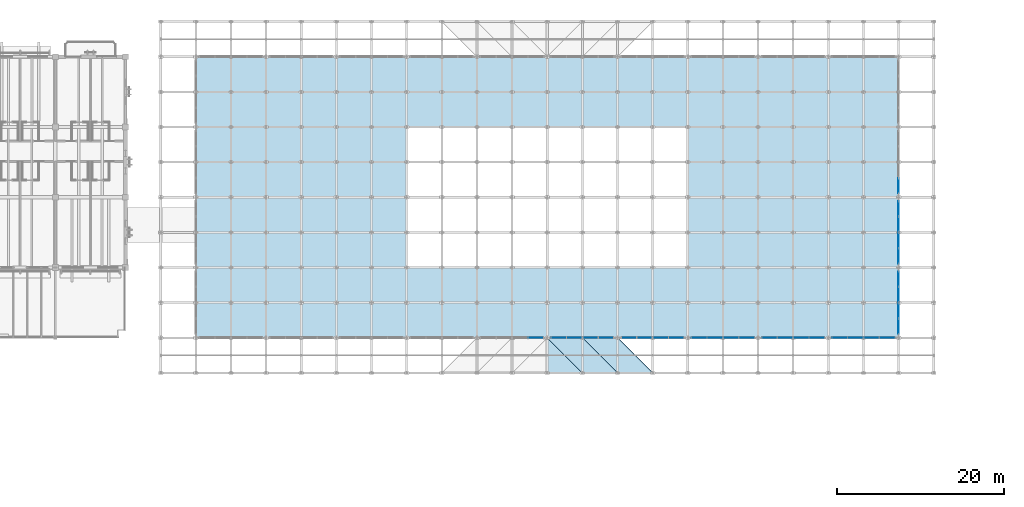
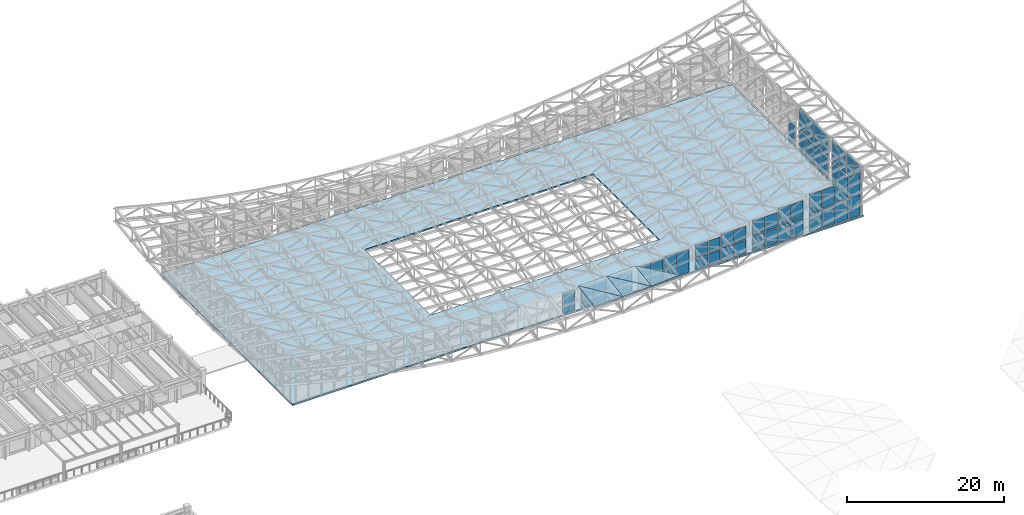
# One storey, part 68 of 111: 50 plates, 6 slabs, 16 elements without a shape of their own.
"""IFC4 building model written with IfcOpenShell, lengths in metres."""

from ifc_helpers import new_model, si_unit, direction, frame, origin, origin_2d, place, context, subcontext, project, spatial, polyline, rectangle, outline, extrude, material, layer, layer_set, type_object, element, aggregate, save


model = new_model("IFC4")

# Units and contexts
model_context = context("Model", 3, precision=1e-05, world=origin(), true_north=direction((0.0, 1.0)))
body_context = subcontext(model_context, "Body", "Model", "MODEL_VIEW")
ifc_project = project(units=[si_unit("LENGTHUNIT", "METRE"), si_unit("AREAUNIT", "SQUARE_METRE"), si_unit("VOLUMEUNIT", "CUBIC_METRE"), si_unit("PLANEANGLEUNIT", "RADIAN"), si_unit("MASSUNIT", "GRAM", prefix="KILO")], contexts=[model_context])

# Site, building, storey
site_placement = place(None, origin())
site = spatial("IfcSite", under=ifc_project, at=site_placement, CompositionType="ELEMENT")
building_placement = place(site_placement, origin())
building = spatial("IfcBuilding", under=site, at=building_placement, Name="Cumbredor Promenade Congress Hotel", CompositionType="ELEMENT")
storey_placement = place(building_placement, frame((0.0, 0.0, 15.1201171875)))
storey = spatial("IfcBuildingStorey", under=building, at=storey_placement, Name="L04", CompositionType="ELEMENT", Elevation=15.1201171875)

# Slabs
ifc_material_1 = material(Name="Concrete C40/50", Category="concrete")
ifc_layer_1 = layer(ifc_material_1, 0.25, Name="Concrete C40/50", Category="concrete")
ifc_layer_set_1 = layer_set([ifc_layer_1], Name="Concrete C40/50")
slab_type_1 = type_object("IfcSlabType", Name="Catenary Space Frame Roof Deck 250mm", PredefinedType="ROOF", material=ifc_layer_set_1)
slab_1_placement = place(storey_placement, frame((134.39990234375, 79.800048828125, 3.079833984375), z_axis=(-0.012448325796, -0.160747633386, 0.98691703681), x_axis=(0.999920461245, 0.0, 0.012612342484)))
element("IfcSlab", 1, at=slab_1_placement, inside=storey, type_object=slab_type_1, Name="Pre-Function and Breakout Meeting Forum Sweeping Roof Deck Facet 12.1.1", PredefinedType="ROOF", context=body_context, shape_type="SweptSolid", body=[
    extrude(outline(polyline([(0.0, 0.0), (4.200529417378815, 1.734723475976807e-18), (0.008627876865096478, 4.255288901044688), (0.0, 0.0)])), origin(), (0.0, 0.0, -1.0), 0.25),
])
slab_2_placement = place(storey_placement, frame((138.60009765625, 79.800048828125, 3.1328125), z_axis=(-0.009928519564, -0.15829161102, 0.987342488896), x_axis=(0.0, 0.987391156385, 0.158299413434)))
element("IfcSlab", 2, at=slab_2_placement, inside=storey, type_object=slab_type_1, Name="Pre-Function and Breakout Meeting Forum Sweeping Roof Deck Facet 12.1.2", PredefinedType="ROOF", context=body_context, shape_type="SweptSolid", body=[
    extrude(outline(polyline([(0.0, 0.0), (4.253583946663738, 0.0), (4.246897960695936, 4.2004023459845), (0.0, 0.0)])), origin(), (0.0, 0.0, -1.0), 0.25),
])
slab_3_placement = place(storey_placement, frame((138.60009765625, 79.800048828125, 3.1328125), z_axis=(-0.037281756976, -0.158189362676, 0.986704715775), x_axis=(0.999286944012, 0.0, 0.037757165239)))
element("IfcSlab", 3, at=slab_3_placement, inside=storey, type_object=slab_type_1, Name="Pre-Function and Breakout Meeting Forum Sweeping Roof Deck Facet 13.1.1", PredefinedType="ROOF", context=body_context, shape_type="SweptSolid", body=[
    extrude(outline(polyline([(0.0, 0.0), (4.2029481091909515, 0.0), (0.025423403742524806, 4.25350796894253), (0.0, 0.0)])), origin(), (0.0, 0.0, -1.0), 0.25),
])
slab_4_placement = place(storey_placement, frame((142.800048828125, 79.800048828125, 3.29150390625), z_axis=(-0.029753049423, -0.150833026609, 0.988111407754), x_axis=(0.0, 0.988549058169, 0.15089983298)))
element("IfcSlab", 4, at=slab_4_placement, inside=storey, type_object=slab_type_1, Name="Pre-Function and Breakout Meeting Forum Sweeping Roof Deck Facet 13.1.2", PredefinedType="ROOF", context=body_context, shape_type="SweptSolid", body=[
    extrude(outline(polyline([(0.0, 0.0), (4.24860166237426, 0.0), (4.229518138574568, 4.2018113977138825), (0.0, 0.0)])), origin(), (0.0, 0.0, -1.0), 0.25),
])
slab_5_placement = place(storey_placement, frame((142.800048828125, 79.800048828125, 3.29150390625), z_axis=(-0.062113086697, -0.15060846322, 0.986640286663), x_axis=(0.998024259177, 0.0, 0.06282975485)))
element("IfcSlab", 5, at=slab_5_placement, inside=storey, type_object=slab_type_1, Name="Pre-Function and Breakout Meeting Forum Sweeping Roof Deck Facet 14.1.1", PredefinedType="ROOF", context=body_context, shape_type="SweptSolid", body=[
    extrude(outline(polyline([(0.0, 0.0), (4.208265614043409, 0.0), (0.04028099029216406, 4.248410706058256), (0.0, 0.0)])), origin(), (0.0, 0.0, -1.0), 0.25),
])

# Curtain wall, plate
ifc_material_2 = material(Name="Thermally broken anodized aluminium and low-E glass", Category="aluminium")
curtain_wall_type = type_object("IfcCurtainWallType", Name="Stepped Pavilion Clerestory Curtain Wall CW-06", PredefinedType="NOTDEFINED", material=ifc_material_2)
curtain_wall_1_placement = place(storey_placement, origin())
curtain_wall_1 = element("IfcCurtainWall", 6, at=curtain_wall_1_placement, inside=storey, type_object=curtain_wall_type, Name="Pre-Function and Breakout Meeting Forum S Glazed Clerestory 10", PredefinedType="NOTDEFINED")
ifc_material_3 = material(Name="Laminated low-E solar-control glass", Category="glass")
ifc_layer_2 = layer(ifc_material_3, 0.031982421875, Name="Laminated low-E solar-control glass", Category="glass")
ifc_layer_set_2 = layer_set([ifc_layer_2], Name="Laminated low-E solar-control glass")
plate_type = type_object("IfcPlateType", Name="Clerestory Glazed Vision Panel PNL-07", PredefinedType="CURTAIN_PANEL", material=ifc_layer_set_2)
plate_1_placement = place(storey_placement, frame((133.030029296875, 84.0, 0.169921875), z_axis=(0.0, 0.0, 1.0), x_axis=(1.0, 0.0, 0.0)))
plate_1 = element("IfcPlate", 7, at=plate_1_placement, type_object=plate_type, Name="Pre-Function and Breakout Meeting Forum S Glazed Clerestory 10 Glazing Panel 2.1", PredefinedType="CURTAIN_PANEL", context=body_context, shape_type="SweptSolid", body=[
    extrude(rectangle(XDim=1.77490234375, YDim=0.031982421875, at=origin_2d()), origin(), (0.0, 0.0, 1.0), 3.169921875),
])
aggregate(curtain_wall_1, [plate_1])

# Curtain wall, plates
curtain_wall_2_placement = place(storey_placement, origin())
curtain_wall_2 = element("IfcCurtainWall", 8, at=curtain_wall_2_placement, inside=storey, type_object=curtain_wall_type, Name="Pre-Function and Breakout Meeting Forum S Glazed Clerestory 11", PredefinedType="NOTDEFINED")
plate_2_placement = place(storey_placement, frame((135.77001953125, 84.0, 0.169921875), z_axis=(0.0, 0.0, 1.0), x_axis=(1.0, 0.0, 0.0)))
plate_2 = element("IfcPlate", 9, at=plate_2_placement, type_object=plate_type, Name="Pre-Function and Breakout Meeting Forum S Glazed Clerestory 11 Glazing Panel 1.1", PredefinedType="CURTAIN_PANEL", context=body_context, shape_type="SweptSolid", body=[
    extrude(rectangle(XDim=1.77490234375, YDim=0.031982421875, at=origin_2d()), origin(), (0.0, 0.0, 1.0), 3.169921875),
])
plate_3_placement = place(storey_placement, frame((137.6298828125, 84.0, 0.169921875), z_axis=(0.0, 0.0, 1.0), x_axis=(1.0, 0.0, 0.0)))
plate_3 = element("IfcPlate", 10, at=plate_3_placement, type_object=plate_type, Name="Pre-Function and Breakout Meeting Forum S Glazed Clerestory 11 Glazing Panel 2.1", PredefinedType="CURTAIN_PANEL", context=body_context, shape_type="SweptSolid", body=[
    extrude(rectangle(XDim=1.77490234375, YDim=0.031982421875, at=origin_2d()), origin(), (0.0, 0.0, 1.0), 3.169921875),
])
aggregate(curtain_wall_2, [plate_2, plate_3])

curtain_wall_3_placement = place(storey_placement, origin())
curtain_wall_3 = element("IfcCurtainWall", 11, at=curtain_wall_3_placement, inside=storey, type_object=curtain_wall_type, Name="Pre-Function and Breakout Meeting Forum S Glazed Clerestory 12", PredefinedType="NOTDEFINED")
plate_4_placement = place(storey_placement, frame((139.570068359375, 84.0, 0.169921875), z_axis=(0.0, 0.0, 1.0), x_axis=(1.0, 0.0, 0.0)))
plate_4 = element("IfcPlate", 12, at=plate_4_placement, type_object=plate_type, Name="Pre-Function and Breakout Meeting Forum S Glazed Clerestory 12 Glazing Panel 1.1", PredefinedType="CURTAIN_PANEL", context=body_context, shape_type="SweptSolid", body=[
    extrude(rectangle(XDim=1.77490234375, YDim=0.031982421875, at=origin_2d()), origin(), (0.0, 0.0, 1.0), 3.2099609375),
])
plate_5_placement = place(storey_placement, frame((141.429931640625, 84.0, 0.169921875), z_axis=(0.0, 0.0, 1.0), x_axis=(1.0, 0.0, 0.0)))
plate_5 = element("IfcPlate", 13, at=plate_5_placement, type_object=plate_type, Name="Pre-Function and Breakout Meeting Forum S Glazed Clerestory 12 Glazing Panel 2.1", PredefinedType="CURTAIN_PANEL", context=body_context, shape_type="SweptSolid", body=[
    extrude(rectangle(XDim=1.77490234375, YDim=0.031982421875, at=origin_2d()), origin(), (0.0, 0.0, 1.0), 3.2099609375),
])
aggregate(curtain_wall_3, [plate_4, plate_5])

curtain_wall_4_placement = place(storey_placement, origin())
curtain_wall_4 = element("IfcCurtainWall", 14, at=curtain_wall_4_placement, inside=storey, type_object=curtain_wall_type, Name="Pre-Function and Breakout Meeting Forum S Glazed Clerestory 13", PredefinedType="NOTDEFINED")
plate_6_placement = place(storey_placement, frame((144.169921875, 84.0, 0.169921875), z_axis=(0.0, 0.0, 1.0), x_axis=(1.0, 0.0, 0.0)))
plate_6 = element("IfcPlate", 15, at=plate_6_placement, type_object=plate_type, Name="Pre-Function and Breakout Meeting Forum S Glazed Clerestory 13 Glazing Panel 1.1", PredefinedType="CURTAIN_PANEL", context=body_context, shape_type="SweptSolid", body=[
    extrude(rectangle(XDim=1.77490234375, YDim=0.031982421875, at=origin_2d()), origin(), (0.0, 0.0, 1.0), 3.340087890625),
])
plate_7_placement = place(storey_placement, frame((146.030029296875, 84.0, 0.169921875), z_axis=(0.0, 0.0, 1.0), x_axis=(1.0, 0.0, 0.0)))
plate_7 = element("IfcPlate", 16, at=plate_7_placement, type_object=plate_type, Name="Pre-Function and Breakout Meeting Forum S Glazed Clerestory 13 Glazing Panel 2.1", PredefinedType="CURTAIN_PANEL", context=body_context, shape_type="SweptSolid", body=[
    extrude(rectangle(XDim=1.77490234375, YDim=0.031982421875, at=origin_2d()), origin(), (0.0, 0.0, 1.0), 3.340087890625),
])
aggregate(curtain_wall_4, [plate_6, plate_7])

curtain_wall_5_placement = place(storey_placement, origin())
curtain_wall_5 = element("IfcCurtainWall", 17, at=curtain_wall_5_placement, inside=storey, type_object=curtain_wall_type, Name="Pre-Function and Breakout Meeting Forum S Glazed Clerestory 14", PredefinedType="NOTDEFINED")
plate_8_placement = place(storey_placement, frame((147.969970703125, 84.0, 0.169921875), z_axis=(0.0, 0.0, 1.0), x_axis=(1.0, 0.0, 0.0)))
plate_8 = element("IfcPlate", 18, at=plate_8_placement, type_object=plate_type, Name="Pre-Function and Breakout Meeting Forum S Glazed Clerestory 14 Glazing Panel 1.1", PredefinedType="CURTAIN_PANEL", context=body_context, shape_type="SweptSolid", body=[
    extrude(rectangle(XDim=1.77490234375, YDim=0.031982421875, at=origin_2d()), origin(), (0.0, 0.0, 1.0), 3.550048828125),
])
plate_9_placement = place(storey_placement, frame((149.830078125, 84.0, 0.169921875), z_axis=(0.0, 0.0, 1.0), x_axis=(1.0, 0.0, 0.0)))
plate_9 = element("IfcPlate", 19, at=plate_9_placement, type_object=plate_type, Name="Pre-Function and Breakout Meeting Forum S Glazed Clerestory 14 Glazing Panel 2.1", PredefinedType="CURTAIN_PANEL", context=body_context, shape_type="SweptSolid", body=[
    extrude(rectangle(XDim=1.77490234375, YDim=0.031982421875, at=origin_2d()), origin(), (0.0, 0.0, 1.0), 3.550048828125),
])
aggregate(curtain_wall_5, [plate_8, plate_9])

curtain_wall_6_placement = place(storey_placement, origin())
curtain_wall_6 = element("IfcCurtainWall", 20, at=curtain_wall_6_placement, inside=storey, type_object=curtain_wall_type, Name="Pre-Function and Breakout Meeting Forum S Glazed Clerestory 15", PredefinedType="NOTDEFINED")
plate_10_placement = place(storey_placement, frame((152.570068359375, 84.0, 0.169921875), z_axis=(0.0, 0.0, 1.0), x_axis=(1.0, 0.0, 0.0)))
plate_10 = element("IfcPlate", 21, at=plate_10_placement, type_object=plate_type, Name="Pre-Function and Breakout Meeting Forum S Glazed Clerestory 15 Glazing Panel 1.1", PredefinedType="CURTAIN_PANEL", context=body_context, shape_type="SweptSolid", body=[
    extrude(rectangle(XDim=1.77490234375, YDim=0.031982421875, at=origin_2d()), origin(), (0.0, 0.0, 1.0), 1.830078125),
])
plate_11_placement = place(storey_placement, frame((152.570068359375, 84.0, 2.1796875), z_axis=(0.0, 0.0, 1.0), x_axis=(1.0, 0.0, 0.0)))
plate_11 = element("IfcPlate", 22, at=plate_11_placement, type_object=plate_type, Name="Pre-Function and Breakout Meeting Forum S Glazed Clerestory 15 Glazing Panel 1.2", PredefinedType="CURTAIN_PANEL", context=body_context, shape_type="SweptSolid", body=[
    extrude(rectangle(XDim=1.77490234375, YDim=0.031982421875, at=origin_2d()), origin(), (0.0, 0.0, 1.0), 1.840087890625),
])
plate_12_placement = place(storey_placement, frame((154.429931640625, 84.0, 0.169921875), z_axis=(0.0, 0.0, 1.0), x_axis=(1.0, 0.0, 0.0)))
plate_12 = element("IfcPlate", 23, at=plate_12_placement, type_object=plate_type, Name="Pre-Function and Breakout Meeting Forum S Glazed Clerestory 15 Glazing Panel 2.1", PredefinedType="CURTAIN_PANEL", context=body_context, shape_type="SweptSolid", body=[
    extrude(rectangle(XDim=1.77490234375, YDim=0.031982421875, at=origin_2d()), origin(), (0.0, 0.0, 1.0), 1.830078125),
])
plate_13_placement = place(storey_placement, frame((154.429931640625, 84.0, 2.1796875), z_axis=(0.0, 0.0, 1.0), x_axis=(1.0, 0.0, 0.0)))
plate_13 = element("IfcPlate", 24, at=plate_13_placement, type_object=plate_type, Name="Pre-Function and Breakout Meeting Forum S Glazed Clerestory 15 Glazing Panel 2.2", PredefinedType="CURTAIN_PANEL", context=body_context, shape_type="SweptSolid", body=[
    extrude(rectangle(XDim=1.77490234375, YDim=0.031982421875, at=origin_2d()), origin(), (0.0, 0.0, 1.0), 1.840087890625),
])
aggregate(curtain_wall_6, [plate_10, plate_11, plate_12, plate_13])

curtain_wall_7_placement = place(storey_placement, origin())
curtain_wall_7 = element("IfcCurtainWall", 25, at=curtain_wall_7_placement, inside=storey, type_object=curtain_wall_type, Name="Pre-Function and Breakout Meeting Forum S Glazed Clerestory 16", PredefinedType="NOTDEFINED")
plate_14_placement = place(storey_placement, frame((156.3701171875, 84.0, 0.169921875), z_axis=(0.0, 0.0, 1.0), x_axis=(1.0, 0.0, 0.0)))
plate_14 = element("IfcPlate", 26, at=plate_14_placement, type_object=plate_type, Name="Pre-Function and Breakout Meeting Forum S Glazed Clerestory 16 Glazing Panel 1.1", PredefinedType="CURTAIN_PANEL", context=body_context, shape_type="SweptSolid", body=[
    extrude(rectangle(XDim=1.77490234375, YDim=0.031982421875, at=origin_2d()), origin(), (0.0, 0.0, 1.0), 2.02001953125),
])
plate_15_placement = place(storey_placement, frame((156.3701171875, 84.0, 2.369873046875), z_axis=(0.0, 0.0, 1.0), x_axis=(1.0, 0.0, 0.0)))
plate_15 = element("IfcPlate", 27, at=plate_15_placement, type_object=plate_type, Name="Pre-Function and Breakout Meeting Forum S Glazed Clerestory 16 Glazing Panel 1.2", PredefinedType="CURTAIN_PANEL", context=body_context, shape_type="SweptSolid", body=[
    extrude(rectangle(XDim=1.77490234375, YDim=0.031982421875, at=origin_2d()), origin(), (0.0, 0.0, 1.0), 2.02001953125),
])
plate_16_placement = place(storey_placement, frame((158.22998046875, 84.0, 0.169921875), z_axis=(0.0, 0.0, 1.0), x_axis=(1.0, 0.0, 0.0)))
plate_16 = element("IfcPlate", 28, at=plate_16_placement, type_object=plate_type, Name="Pre-Function and Breakout Meeting Forum S Glazed Clerestory 16 Glazing Panel 2.1", PredefinedType="CURTAIN_PANEL", context=body_context, shape_type="SweptSolid", body=[
    extrude(rectangle(XDim=1.77490234375, YDim=0.031982421875, at=origin_2d()), origin(), (0.0, 0.0, 1.0), 2.02001953125),
])
plate_17_placement = place(storey_placement, frame((158.22998046875, 84.0, 2.369873046875), z_axis=(0.0, 0.0, 1.0), x_axis=(1.0, 0.0, 0.0)))
plate_17 = element("IfcPlate", 29, at=plate_17_placement, type_object=plate_type, Name="Pre-Function and Breakout Meeting Forum S Glazed Clerestory 16 Glazing Panel 2.2", PredefinedType="CURTAIN_PANEL", context=body_context, shape_type="SweptSolid", body=[
    extrude(rectangle(XDim=1.77490234375, YDim=0.031982421875, at=origin_2d()), origin(), (0.0, 0.0, 1.0), 2.02001953125),
])
aggregate(curtain_wall_7, [plate_14, plate_15, plate_16, plate_17])

curtain_wall_8_placement = place(storey_placement, origin())
curtain_wall_8 = element("IfcCurtainWall", 30, at=curtain_wall_8_placement, inside=storey, type_object=curtain_wall_type, Name="Pre-Function and Breakout Meeting Forum S Glazed Clerestory 17", PredefinedType="NOTDEFINED")
plate_18_placement = place(storey_placement, frame((160.969970703125, 84.0, 0.169921875), z_axis=(0.0, 0.0, 1.0), x_axis=(1.0, 0.0, 0.0)))
plate_18 = element("IfcPlate", 31, at=plate_18_placement, type_object=plate_type, Name="Pre-Function and Breakout Meeting Forum S Glazed Clerestory 17 Glazing Panel 1.1", PredefinedType="CURTAIN_PANEL", context=body_context, shape_type="SweptSolid", body=[
    extrude(rectangle(XDim=1.77490234375, YDim=0.031982421875, at=origin_2d()), origin(), (0.0, 0.0, 1.0), 2.25),
])
plate_19_placement = place(storey_placement, frame((160.969970703125, 84.0, 2.60009765625), z_axis=(0.0, 0.0, 1.0), x_axis=(1.0, 0.0, 0.0)))
plate_19 = element("IfcPlate", 32, at=plate_19_placement, type_object=plate_type, Name="Pre-Function and Breakout Meeting Forum S Glazed Clerestory 17 Glazing Panel 1.2", PredefinedType="CURTAIN_PANEL", context=body_context, shape_type="SweptSolid", body=[
    extrude(rectangle(XDim=1.77490234375, YDim=0.031982421875, at=origin_2d()), origin(), (0.0, 0.0, 1.0), 2.260009765625),
])
plate_20_placement = place(storey_placement, frame((162.830078125, 84.0, 0.169921875), z_axis=(0.0, 0.0, 1.0), x_axis=(1.0, 0.0, 0.0)))
plate_20 = element("IfcPlate", 33, at=plate_20_placement, type_object=plate_type, Name="Pre-Function and Breakout Meeting Forum S Glazed Clerestory 17 Glazing Panel 2.1", PredefinedType="CURTAIN_PANEL", context=body_context, shape_type="SweptSolid", body=[
    extrude(rectangle(XDim=1.77490234375, YDim=0.031982421875, at=origin_2d()), origin(), (0.0, 0.0, 1.0), 2.25),
])
plate_21_placement = place(storey_placement, frame((162.830078125, 84.0, 2.60009765625), z_axis=(0.0, 0.0, 1.0), x_axis=(1.0, 0.0, 0.0)))
plate_21 = element("IfcPlate", 34, at=plate_21_placement, type_object=plate_type, Name="Pre-Function and Breakout Meeting Forum S Glazed Clerestory 17 Glazing Panel 2.2", PredefinedType="CURTAIN_PANEL", context=body_context, shape_type="SweptSolid", body=[
    extrude(rectangle(XDim=1.77490234375, YDim=0.031982421875, at=origin_2d()), origin(), (0.0, 0.0, 1.0), 2.260009765625),
])
aggregate(curtain_wall_8, [plate_18, plate_19, plate_20, plate_21])

curtain_wall_9_placement = place(storey_placement, origin())
curtain_wall_9 = element("IfcCurtainWall", 35, at=curtain_wall_9_placement, inside=storey, type_object=curtain_wall_type, Name="Pre-Function and Breakout Meeting Forum S Glazed Clerestory 18", PredefinedType="NOTDEFINED")
plate_22_placement = place(storey_placement, frame((164.77001953125, 84.0, 0.169921875), z_axis=(0.0, 0.0, 1.0), x_axis=(1.0, 0.0, 0.0)))
plate_22 = element("IfcPlate", 36, at=plate_22_placement, type_object=plate_type, Name="Pre-Function and Breakout Meeting Forum S Glazed Clerestory 18 Glazing Panel 1.1", PredefinedType="CURTAIN_PANEL", context=body_context, shape_type="SweptSolid", body=[
    extrude(rectangle(XDim=1.77490234375, YDim=0.031982421875, at=origin_2d()), origin(), (0.0, 0.0, 1.0), 2.530029296875),
])
plate_23_placement = place(storey_placement, frame((164.77001953125, 84.0, 2.8798828125), z_axis=(0.0, 0.0, 1.0), x_axis=(1.0, 0.0, 0.0)))
plate_23 = element("IfcPlate", 37, at=plate_23_placement, type_object=plate_type, Name="Pre-Function and Breakout Meeting Forum S Glazed Clerestory 18 Glazing Panel 1.2", PredefinedType="CURTAIN_PANEL", context=body_context, shape_type="SweptSolid", body=[
    extrude(rectangle(XDim=1.77490234375, YDim=0.031982421875, at=origin_2d()), origin(), (0.0, 0.0, 1.0), 2.530029296875),
])
plate_24_placement = place(storey_placement, frame((166.6298828125, 84.0, 0.169921875), z_axis=(0.0, 0.0, 1.0), x_axis=(1.0, 0.0, 0.0)))
plate_24 = element("IfcPlate", 38, at=plate_24_placement, type_object=plate_type, Name="Pre-Function and Breakout Meeting Forum S Glazed Clerestory 18 Glazing Panel 2.1", PredefinedType="CURTAIN_PANEL", context=body_context, shape_type="SweptSolid", body=[
    extrude(rectangle(XDim=1.77490234375, YDim=0.031982421875, at=origin_2d()), origin(), (0.0, 0.0, 1.0), 2.530029296875),
])
plate_25_placement = place(storey_placement, frame((166.6298828125, 84.0, 2.8798828125), z_axis=(0.0, 0.0, 1.0), x_axis=(1.0, 0.0, 0.0)))
plate_25 = element("IfcPlate", 39, at=plate_25_placement, type_object=plate_type, Name="Pre-Function and Breakout Meeting Forum S Glazed Clerestory 18 Glazing Panel 2.2", PredefinedType="CURTAIN_PANEL", context=body_context, shape_type="SweptSolid", body=[
    extrude(rectangle(XDim=1.77490234375, YDim=0.031982421875, at=origin_2d()), origin(), (0.0, 0.0, 1.0), 2.530029296875),
])
aggregate(curtain_wall_9, [plate_22, plate_23, plate_24, plate_25])

curtain_wall_10_placement = place(storey_placement, origin())
curtain_wall_10 = element("IfcCurtainWall", 40, at=curtain_wall_10_placement, inside=storey, type_object=curtain_wall_type, Name="Pre-Function and Breakout Meeting Forum S Glazed Clerestory 19", PredefinedType="NOTDEFINED")
plate_26_placement = place(storey_placement, frame((169.3701171875, 84.0, 0.169921875), z_axis=(0.0, 0.0, 1.0), x_axis=(1.0, 0.0, 0.0)))
plate_26 = element("IfcPlate", 41, at=plate_26_placement, type_object=plate_type, Name="Pre-Function and Breakout Meeting Forum S Glazed Clerestory 19 Glazing Panel 1.1", PredefinedType="CURTAIN_PANEL", context=body_context, shape_type="SweptSolid", body=[
    extrude(rectangle(XDim=1.77490234375, YDim=0.031982421875, at=origin_2d()), origin(), (0.0, 0.0, 1.0), 2.85009765625),
])
plate_27_placement = place(storey_placement, frame((169.3701171875, 84.0, 3.19970703125), z_axis=(0.0, 0.0, 1.0), x_axis=(1.0, 0.0, 0.0)))
plate_27 = element("IfcPlate", 42, at=plate_27_placement, type_object=plate_type, Name="Pre-Function and Breakout Meeting Forum S Glazed Clerestory 19 Glazing Panel 1.2", PredefinedType="CURTAIN_PANEL", context=body_context, shape_type="SweptSolid", body=[
    extrude(rectangle(XDim=1.77490234375, YDim=0.031982421875, at=origin_2d()), origin(), (0.0, 0.0, 1.0), 2.840087890625),
])
plate_28_placement = place(storey_placement, frame((171.22998046875, 84.0, 0.169921875), z_axis=(0.0, 0.0, 1.0), x_axis=(1.0, 0.0, 0.0)))
plate_28 = element("IfcPlate", 43, at=plate_28_placement, type_object=plate_type, Name="Pre-Function and Breakout Meeting Forum S Glazed Clerestory 19 Glazing Panel 2.1", PredefinedType="CURTAIN_PANEL", context=body_context, shape_type="SweptSolid", body=[
    extrude(rectangle(XDim=1.77490234375, YDim=0.031982421875, at=origin_2d()), origin(), (0.0, 0.0, 1.0), 2.85009765625),
])
plate_29_placement = place(storey_placement, frame((171.22998046875, 84.0, 3.19970703125), z_axis=(0.0, 0.0, 1.0), x_axis=(1.0, 0.0, 0.0)))
plate_29 = element("IfcPlate", 44, at=plate_29_placement, type_object=plate_type, Name="Pre-Function and Breakout Meeting Forum S Glazed Clerestory 19 Glazing Panel 2.2", PredefinedType="CURTAIN_PANEL", context=body_context, shape_type="SweptSolid", body=[
    extrude(rectangle(XDim=1.77490234375, YDim=0.031982421875, at=origin_2d()), origin(), (0.0, 0.0, 1.0), 2.840087890625),
])
aggregate(curtain_wall_10, [plate_26, plate_27, plate_28, plate_29])

curtain_wall_11_placement = place(storey_placement, origin())
curtain_wall_11 = element("IfcCurtainWall", 45, at=curtain_wall_11_placement, inside=storey, type_object=curtain_wall_type, Name="Pre-Function and Breakout Meeting Forum S Glazed Clerestory 20", PredefinedType="NOTDEFINED")
plate_30_placement = place(storey_placement, frame((173.169921875, 84.0, 0.169921875), z_axis=(0.0, 0.0, 1.0), x_axis=(1.0, 0.0, 0.0)))
plate_30 = element("IfcPlate", 46, at=plate_30_placement, type_object=plate_type, Name="Pre-Function and Breakout Meeting Forum S Glazed Clerestory 20 Glazing Panel 1.1", PredefinedType="CURTAIN_PANEL", context=body_context, shape_type="SweptSolid", body=[
    extrude(rectangle(XDim=1.77490234375, YDim=0.031982421875, at=origin_2d()), origin(), (0.0, 0.0, 1.0), 3.199951171875),
])
plate_31_placement = place(storey_placement, frame((173.169921875, 84.0, 3.5498046875), z_axis=(0.0, 0.0, 1.0), x_axis=(1.0, 0.0, 0.0)))
plate_31 = element("IfcPlate", 47, at=plate_31_placement, type_object=plate_type, Name="Pre-Function and Breakout Meeting Forum S Glazed Clerestory 20 Glazing Panel 1.2", PredefinedType="CURTAIN_PANEL", context=body_context, shape_type="SweptSolid", body=[
    extrude(rectangle(XDim=1.77490234375, YDim=0.031982421875, at=origin_2d()), origin(), (0.0, 0.0, 1.0), 3.199951171875),
])
plate_32_placement = place(storey_placement, frame((175.030029296875, 84.0, 0.169921875), z_axis=(0.0, 0.0, 1.0), x_axis=(1.0, 0.0, 0.0)))
plate_32 = element("IfcPlate", 48, at=plate_32_placement, type_object=plate_type, Name="Pre-Function and Breakout Meeting Forum S Glazed Clerestory 20 Glazing Panel 2.1", PredefinedType="CURTAIN_PANEL", context=body_context, shape_type="SweptSolid", body=[
    extrude(rectangle(XDim=1.77490234375, YDim=0.031982421875, at=origin_2d()), origin(), (0.0, 0.0, 1.0), 3.199951171875),
])
plate_33_placement = place(storey_placement, frame((175.030029296875, 84.0, 3.5498046875), z_axis=(0.0, 0.0, 1.0), x_axis=(1.0, 0.0, 0.0)))
plate_33 = element("IfcPlate", 49, at=plate_33_placement, type_object=plate_type, Name="Pre-Function and Breakout Meeting Forum S Glazed Clerestory 20 Glazing Panel 2.2", PredefinedType="CURTAIN_PANEL", context=body_context, shape_type="SweptSolid", body=[
    extrude(rectangle(XDim=1.77490234375, YDim=0.031982421875, at=origin_2d()), origin(), (0.0, 0.0, 1.0), 3.199951171875),
])
aggregate(curtain_wall_11, [plate_30, plate_31, plate_32, plate_33])

curtain_wall_12_placement = place(storey_placement, origin())
curtain_wall_12 = element("IfcCurtainWall", 50, at=curtain_wall_12_placement, inside=storey, type_object=curtain_wall_type, Name="Pre-Function and Breakout Meeting Forum E Glazed Clerestory 1", PredefinedType="NOTDEFINED")
plate_34_placement = place(storey_placement, frame((176.39990234375, 85.3701171875, 0.169921875), z_axis=(0.0, 0.0, 1.0), x_axis=(0.0, 1.0, 0.0)))
plate_34 = element("IfcPlate", 51, at=plate_34_placement, type_object=plate_type, Name="Pre-Function and Breakout Meeting Forum E Glazed Clerestory 1 Glazing Panel 1.1", PredefinedType="CURTAIN_PANEL", context=body_context, shape_type="SweptSolid", body=[
    extrude(rectangle(XDim=1.77490234375, YDim=0.031982421875, at=origin_2d()), origin(), (0.0, 0.0, 1.0), 3.449951171875),
])
plate_35_placement = place(storey_placement, frame((176.39990234375, 85.3701171875, 3.7998046875), z_axis=(0.0, 0.0, 1.0), x_axis=(0.0, 1.0, 0.0)))
plate_35 = element("IfcPlate", 52, at=plate_35_placement, type_object=plate_type, Name="Pre-Function and Breakout Meeting Forum E Glazed Clerestory 1 Glazing Panel 1.2", PredefinedType="CURTAIN_PANEL", context=body_context, shape_type="SweptSolid", body=[
    extrude(rectangle(XDim=1.77490234375, YDim=0.031982421875, at=origin_2d()), origin(), (0.0, 0.0, 1.0), 3.449951171875),
])
plate_36_placement = place(storey_placement, frame((176.39990234375, 87.22998046875, 0.169921875), z_axis=(0.0, 0.0, 1.0), x_axis=(0.0, 1.0, 0.0)))
plate_36 = element("IfcPlate", 53, at=plate_36_placement, type_object=plate_type, Name="Pre-Function and Breakout Meeting Forum E Glazed Clerestory 1 Glazing Panel 2.1", PredefinedType="CURTAIN_PANEL", context=body_context, shape_type="SweptSolid", body=[
    extrude(rectangle(XDim=1.77490234375, YDim=0.031982421875, at=origin_2d()), origin(), (0.0, 0.0, 1.0), 3.449951171875),
])
plate_37_placement = place(storey_placement, frame((176.39990234375, 87.22998046875, 3.7998046875), z_axis=(0.0, 0.0, 1.0), x_axis=(0.0, 1.0, 0.0)))
plate_37 = element("IfcPlate", 54, at=plate_37_placement, type_object=plate_type, Name="Pre-Function and Breakout Meeting Forum E Glazed Clerestory 1 Glazing Panel 2.2", PredefinedType="CURTAIN_PANEL", context=body_context, shape_type="SweptSolid", body=[
    extrude(rectangle(XDim=1.77490234375, YDim=0.031982421875, at=origin_2d()), origin(), (0.0, 0.0, 1.0), 3.449951171875),
])
aggregate(curtain_wall_12, [plate_34, plate_35, plate_36, plate_37])

curtain_wall_13_placement = place(storey_placement, origin())
curtain_wall_13 = element("IfcCurtainWall", 55, at=curtain_wall_13_placement, inside=storey, type_object=curtain_wall_type, Name="Pre-Function and Breakout Meeting Forum E Glazed Clerestory 2", PredefinedType="NOTDEFINED")
plate_38_placement = place(storey_placement, frame((176.39990234375, 89.169921875, 0.169921875), z_axis=(0.0, 0.0, 1.0), x_axis=(0.0, 1.0, 0.0)))
plate_38 = element("IfcPlate", 56, at=plate_38_placement, type_object=plate_type, Name="Pre-Function and Breakout Meeting Forum E Glazed Clerestory 2 Glazing Panel 1.1", PredefinedType="CURTAIN_PANEL", context=body_context, shape_type="SweptSolid", body=[
    extrude(rectangle(XDim=1.77490234375, YDim=0.031982421875, at=origin_2d()), origin(), (0.0, 0.0, 1.0), 3.35009765625),
])
plate_39_placement = place(storey_placement, frame((176.39990234375, 89.169921875, 3.69970703125), z_axis=(0.0, 0.0, 1.0), x_axis=(0.0, 1.0, 0.0)))
plate_39 = element("IfcPlate", 57, at=plate_39_placement, type_object=plate_type, Name="Pre-Function and Breakout Meeting Forum E Glazed Clerestory 2 Glazing Panel 1.2", PredefinedType="CURTAIN_PANEL", context=body_context, shape_type="SweptSolid", body=[
    extrude(rectangle(XDim=1.77490234375, YDim=0.031982421875, at=origin_2d()), origin(), (0.0, 0.0, 1.0), 3.340087890625),
])
plate_40_placement = place(storey_placement, frame((176.39990234375, 91.030029296875, 0.169921875), z_axis=(0.0, 0.0, 1.0), x_axis=(0.0, 1.0, 0.0)))
plate_40 = element("IfcPlate", 58, at=plate_40_placement, type_object=plate_type, Name="Pre-Function and Breakout Meeting Forum E Glazed Clerestory 2 Glazing Panel 2.1", PredefinedType="CURTAIN_PANEL", context=body_context, shape_type="SweptSolid", body=[
    extrude(rectangle(XDim=1.77490234375, YDim=0.031982421875, at=origin_2d()), origin(), (0.0, 0.0, 1.0), 3.35009765625),
])
plate_41_placement = place(storey_placement, frame((176.39990234375, 91.030029296875, 3.69970703125), z_axis=(0.0, 0.0, 1.0), x_axis=(0.0, 1.0, 0.0)))
plate_41 = element("IfcPlate", 59, at=plate_41_placement, type_object=plate_type, Name="Pre-Function and Breakout Meeting Forum E Glazed Clerestory 2 Glazing Panel 2.2", PredefinedType="CURTAIN_PANEL", context=body_context, shape_type="SweptSolid", body=[
    extrude(rectangle(XDim=1.77490234375, YDim=0.031982421875, at=origin_2d()), origin(), (0.0, 0.0, 1.0), 3.340087890625),
])
aggregate(curtain_wall_13, [plate_38, plate_39, plate_40, plate_41])

curtain_wall_14_placement = place(storey_placement, origin())
curtain_wall_14 = element("IfcCurtainWall", 60, at=curtain_wall_14_placement, inside=storey, type_object=curtain_wall_type, Name="Pre-Function and Breakout Meeting Forum E Glazed Clerestory 3", PredefinedType="NOTDEFINED")
plate_42_placement = place(storey_placement, frame((176.39990234375, 93.77001953125, 0.169921875), z_axis=(0.0, 0.0, 1.0), x_axis=(0.0, 1.0, 0.0)))
plate_42 = element("IfcPlate", 61, at=plate_42_placement, type_object=plate_type, Name="Pre-Function and Breakout Meeting Forum E Glazed Clerestory 3 Glazing Panel 1.1", PredefinedType="CURTAIN_PANEL", context=body_context, shape_type="SweptSolid", body=[
    extrude(rectangle(XDim=1.77490234375, YDim=0.031982421875, at=origin_2d()), origin(), (0.0, 0.0, 1.0), 3.280029296875),
])
plate_43_placement = place(storey_placement, frame((176.39990234375, 93.77001953125, 3.6298828125), z_axis=(0.0, 0.0, 1.0), x_axis=(0.0, 1.0, 0.0)))
plate_43 = element("IfcPlate", 62, at=plate_43_placement, type_object=plate_type, Name="Pre-Function and Breakout Meeting Forum E Glazed Clerestory 3 Glazing Panel 1.2", PredefinedType="CURTAIN_PANEL", context=body_context, shape_type="SweptSolid", body=[
    extrude(rectangle(XDim=1.77490234375, YDim=0.031982421875, at=origin_2d()), origin(), (0.0, 0.0, 1.0), 3.280029296875),
])
plate_44_placement = place(storey_placement, frame((176.39990234375, 95.6298828125, 0.169921875), z_axis=(0.0, 0.0, 1.0), x_axis=(0.0, 1.0, 0.0)))
plate_44 = element("IfcPlate", 63, at=plate_44_placement, type_object=plate_type, Name="Pre-Function and Breakout Meeting Forum E Glazed Clerestory 3 Glazing Panel 2.1", PredefinedType="CURTAIN_PANEL", context=body_context, shape_type="SweptSolid", body=[
    extrude(rectangle(XDim=1.77490234375, YDim=0.031982421875, at=origin_2d()), origin(), (0.0, 0.0, 1.0), 3.280029296875),
])
plate_45_placement = place(storey_placement, frame((176.39990234375, 95.6298828125, 3.6298828125), z_axis=(0.0, 0.0, 1.0), x_axis=(0.0, 1.0, 0.0)))
plate_45 = element("IfcPlate", 64, at=plate_45_placement, type_object=plate_type, Name="Pre-Function and Breakout Meeting Forum E Glazed Clerestory 3 Glazing Panel 2.2", PredefinedType="CURTAIN_PANEL", context=body_context, shape_type="SweptSolid", body=[
    extrude(rectangle(XDim=1.77490234375, YDim=0.031982421875, at=origin_2d()), origin(), (0.0, 0.0, 1.0), 3.280029296875),
])
aggregate(curtain_wall_14, [plate_42, plate_43, plate_44, plate_45])

curtain_wall_15_placement = place(storey_placement, origin())
curtain_wall_15 = element("IfcCurtainWall", 65, at=curtain_wall_15_placement, inside=storey, type_object=curtain_wall_type, Name="Pre-Function and Breakout Meeting Forum E Glazed Clerestory 4", PredefinedType="NOTDEFINED")
plate_46_placement = place(storey_placement, frame((176.39990234375, 97.570068359375, 0.169921875), z_axis=(0.0, 0.0, 1.0), x_axis=(0.0, 1.0, 0.0)))
plate_46 = element("IfcPlate", 66, at=plate_46_placement, type_object=plate_type, Name="Pre-Function and Breakout Meeting Forum E Glazed Clerestory 4 Glazing Panel 1.1", PredefinedType="CURTAIN_PANEL", context=body_context, shape_type="SweptSolid", body=[
    extrude(rectangle(XDim=1.77490234375, YDim=0.031982421875, at=origin_2d()), origin(), (0.0, 0.0, 1.0), 3.260009765625),
])
plate_47_placement = place(storey_placement, frame((176.39990234375, 97.570068359375, 3.60986328125), z_axis=(0.0, 0.0, 1.0), x_axis=(0.0, 1.0, 0.0)))
plate_47 = element("IfcPlate", 67, at=plate_47_placement, type_object=plate_type, Name="Pre-Function and Breakout Meeting Forum E Glazed Clerestory 4 Glazing Panel 1.2", PredefinedType="CURTAIN_PANEL", context=body_context, shape_type="SweptSolid", body=[
    extrude(rectangle(XDim=1.77490234375, YDim=0.031982421875, at=origin_2d()), origin(), (0.0, 0.0, 1.0), 3.260009765625),
])
plate_48_placement = place(storey_placement, frame((176.39990234375, 99.429931640625, 0.169921875), z_axis=(0.0, 0.0, 1.0), x_axis=(0.0, 1.0, 0.0)))
plate_48 = element("IfcPlate", 68, at=plate_48_placement, type_object=plate_type, Name="Pre-Function and Breakout Meeting Forum E Glazed Clerestory 4 Glazing Panel 2.1", PredefinedType="CURTAIN_PANEL", context=body_context, shape_type="SweptSolid", body=[
    extrude(rectangle(XDim=1.77490234375, YDim=0.031982421875, at=origin_2d()), origin(), (0.0, 0.0, 1.0), 3.260009765625),
])
plate_49_placement = place(storey_placement, frame((176.39990234375, 99.429931640625, 3.60986328125), z_axis=(0.0, 0.0, 1.0), x_axis=(0.0, 1.0, 0.0)))
plate_49 = element("IfcPlate", 69, at=plate_49_placement, type_object=plate_type, Name="Pre-Function and Breakout Meeting Forum E Glazed Clerestory 4 Glazing Panel 2.2", PredefinedType="CURTAIN_PANEL", context=body_context, shape_type="SweptSolid", body=[
    extrude(rectangle(XDim=1.77490234375, YDim=0.031982421875, at=origin_2d()), origin(), (0.0, 0.0, 1.0), 3.260009765625),
])
aggregate(curtain_wall_15, [plate_46, plate_47, plate_48, plate_49])

# Curtain wall, plate
curtain_wall_16_placement = place(storey_placement, origin())
curtain_wall_16 = element("IfcCurtainWall", 70, at=curtain_wall_16_placement, inside=storey, type_object=curtain_wall_type, Name="Pre-Function and Breakout Meeting Forum E Glazed Clerestory 5", PredefinedType="NOTDEFINED")
plate_50_placement = place(storey_placement, frame((176.39990234375, 102.169921875, 0.169921875), z_axis=(0.0, 0.0, 1.0), x_axis=(0.0, 1.0, 0.0)))
plate_50 = element("IfcPlate", 71, at=plate_50_placement, type_object=plate_type, Name="Pre-Function and Breakout Meeting Forum E Glazed Clerestory 5 Glazing Panel 1.1", PredefinedType="CURTAIN_PANEL", context=body_context, shape_type="SweptSolid", body=[
    extrude(rectangle(XDim=1.77490234375, YDim=0.031982421875, at=origin_2d()), origin(), (0.0, 0.0, 1.0), 3.260009765625),
])
aggregate(curtain_wall_16, [plate_50])

# Slab
ifc_layer_3 = layer(ifc_material_1, 0.235107421875, Name="Concrete C40/50", Category="concrete")
ifc_layer_set_3 = layer_set([ifc_layer_3], Name="Concrete C40/50")
slab_type_2 = type_object("IfcSlabType", Name="Pavilion Structural Ceiling Slab 235mm", PredefinedType="ROOF", material=ifc_layer_set_3)
slab_6_placement = place(storey_placement, frame((0.0, 0.0, -0.235107421875)))
element("IfcSlab", 72, at=slab_6_placement, inside=storey, type_object=slab_type_2, Name="Pre-Function and Breakout Meeting Forum Top-Floor Structural Ceiling Slab", PredefinedType="ROOF", context=body_context, shape_type="SweptSolid", body=[
    extrude(outline(polyline([(92.39990234375, 84.0), (176.39990234375, 84.0), (176.39990234375, 117.60009765625), (92.39990234375, 117.60009765625), (92.39990234375, 84.0)]), holes=[polyline([(117.60009765625, 92.39990234375), (151.199951171875, 92.39990234375), (151.199951171875, 109.199951171875), (117.60009765625, 109.199951171875), (117.60009765625, 92.39990234375)])]), origin(), (0.0, 0.0, 1.0), 0.235107421875),
])

save(model, "model.ifc")
